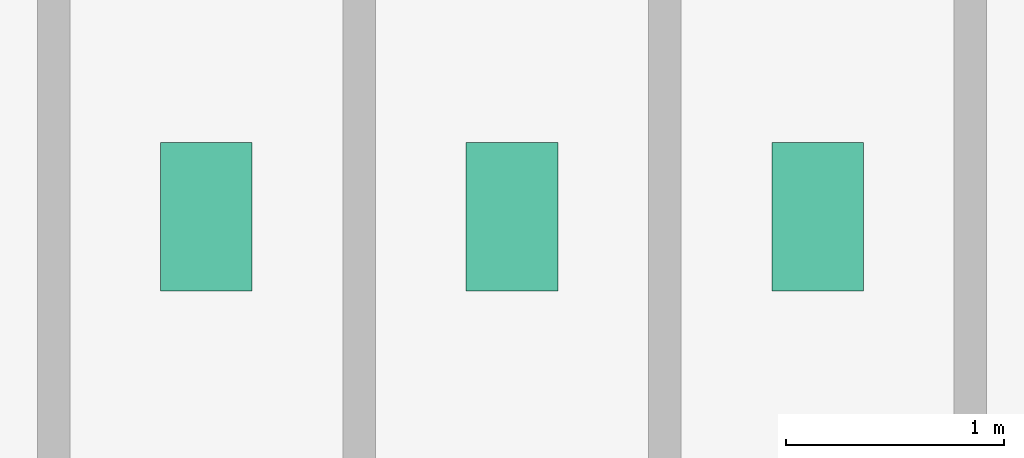
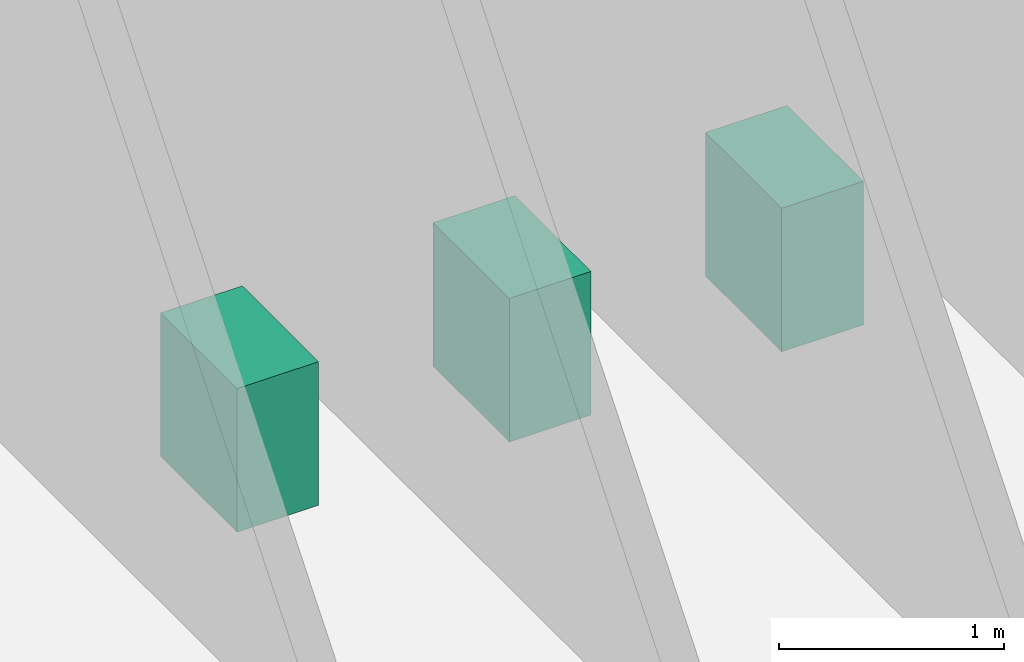
# One storey, part 24 of 25: 3 sanitary terminals.
"""IFC4 building model written with IfcOpenShell, lengths in metres."""

from ifc_helpers import new_model, si_unit, derived_unit, direction, frame, origin, origin_2d, place, context, subcontext, project, spatial, rectangle, extrude, source, transform, mapped, material, type_object, element, save


model = new_model("IFC4")

# Units and contexts
model_context = context("Model", 3, precision=1e-05, world=origin(), true_north=direction((0.0, 1.0)))
body_context = subcontext(model_context, "Body", "Model", "MODEL_VIEW")
ifc_project = project(units=[si_unit("LENGTHUNIT", "METRE"), si_unit("AREAUNIT", "SQUARE_METRE"), si_unit("VOLUMEUNIT", "CUBIC_METRE"), si_unit("PLANEANGLEUNIT", "RADIAN"), si_unit("MASSUNIT", "GRAM", prefix="KILO"), derived_unit("THERMALTRANSMITTANCEUNIT", [(si_unit("POWERUNIT", "WATT"), 1), (si_unit("LENGTHUNIT", "METRE"), -2), (si_unit("THERMODYNAMICTEMPERATUREUNIT", "KELVIN"), -1)])], contexts=[model_context])

# Site, building, storey
site_placement = place(None, origin())
site = spatial("IfcSite", under=ifc_project, at=site_placement, CompositionType="ELEMENT")
building_placement = place(site_placement, origin())
building = spatial("IfcBuilding", under=site, at=building_placement, Name="Skarnbrae Concourse Arena and Tower", CompositionType="ELEMENT")
storey_placement = place(building_placement, origin())
storey = spatial("IfcBuildingStorey", under=building, at=storey_placement, Name="L00", CompositionType="ELEMENT", Elevation=0.0)

# Sanitary terminals
ifc_material = material(Name="Vitreous china sanitaryware", Category="other")
sanitary_terminal_type = type_object("IfcSanitaryTerminalType", Name="SAN-WC-VITREOUS", PredefinedType="TOILETPAN", material=ifc_material)
shared_shape = source(origin(), body_context, "Body", "SweptSolid", [
    extrude(rectangle(XDim=0.419921875, YDim=0.679931640625, at=origin_2d()), origin(), (0.0, 0.0, 1.0), 0.780029296875),
])
for number, where, z_axis, x_axis, name in (
    (1, (44.199951171875, 9.0, 0.0), (0.0, 0.0, 1.0), (1.0, 0.0, 0.0), "L00 Vitreous china WC fixture 1"),
    (2, (45.60009765625, 9.0, 0.0), (0.0, 0.0, 1.0), (1.0, 0.0, 0.0), "L00 Vitreous china WC fixture 2"),
    (3, (47.0, 9.0, 0.0), (0.0, 0.0, 1.0), (1.0, 0.0, 0.0), "L00 Vitreous china WC fixture 3"),
):
    element("IfcSanitaryTerminal", number, at=place(storey_placement, frame(where, z_axis=z_axis, x_axis=x_axis)), inside=storey, type_object=sanitary_terminal_type, Name=name, PredefinedType="TOILETPAN", context=body_context, shape_type="MappedRepresentation", body=[
        mapped(shared_shape, transform((0.0, 0.0, 0.0))),
    ])

save(model, "model.ifc")
